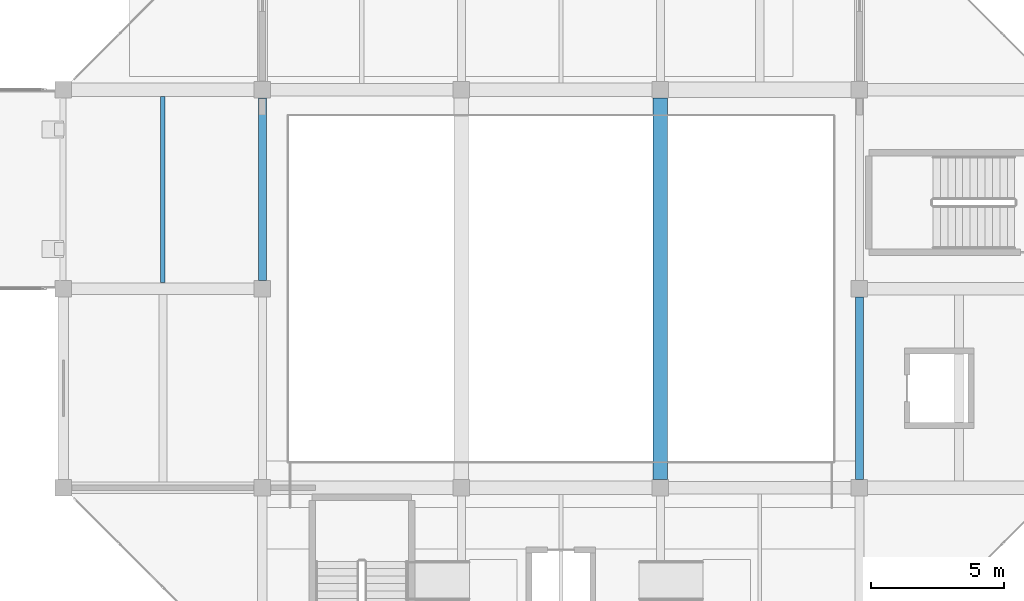
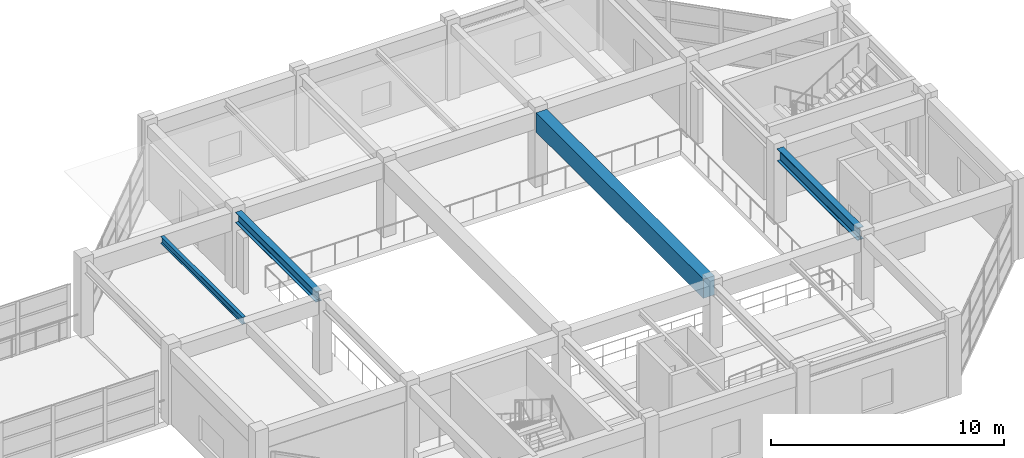
# One storey, part 67 of 132: 4 beams.
"""IFC4 building model written with IfcOpenShell, lengths in metres."""

from ifc_helpers import new_model, si_unit, direction, frame, origin, origin_2d, place, context, subcontext, project, spatial, rectangle, i_section, extrude, material, material_profile, profile_set, type_object, element, save


model = new_model("IFC4")

# Units and contexts
model_context = context("Model", 3, precision=1e-05, world=origin(), true_north=direction((0.0, 1.0)))
body_context = subcontext(model_context, "Body", "Model", "MODEL_VIEW")
ifc_project = project(units=[si_unit("LENGTHUNIT", "METRE"), si_unit("AREAUNIT", "SQUARE_METRE"), si_unit("VOLUMEUNIT", "CUBIC_METRE"), si_unit("PLANEANGLEUNIT", "RADIAN"), si_unit("MASSUNIT", "GRAM", prefix="KILO")], contexts=[model_context])

# Site, building, storey
site_placement = place(None, origin())
site = spatial("IfcSite", under=ifc_project, at=site_placement, CompositionType="ELEMENT")
building_placement = place(site_placement, origin())
building = spatial("IfcBuilding", under=site, at=building_placement, Name="Qasida Concert Hall", CompositionType="ELEMENT")
storey_placement = place(building_placement, frame((0.0, 0.0, 4.800048828125)))
storey = spatial("IfcBuildingStorey", under=building, at=storey_placement, Name="L01", CompositionType="ELEMENT", Elevation=4.800048828125)

# Beams
ifc_material_1 = material(Name="Steel S355J2", Category="steel")
ifc_material_profile_1 = material_profile(ifc_material_1, i_section(OverallWidth=0.300048828125, OverallDepth=0.550048828125, WebThickness=0.014892578125, FlangeThickness=0.029052734375, FilletRadius=0.027099609375, at=origin_2d()), Name="HEB 550")
ifc_profile_set_1 = profile_set([ifc_material_profile_1], Name="Steel S355J2")
beam_type_1 = type_object("IfcBeamType", Name="BM-B12", PredefinedType="BEAM", material=ifc_profile_set_1)
beam_1_placement = place(storey_placement, frame((135.0, 15.31005859375, 3.64501953125), z_axis=(0.0, 1.0, 0.0), x_axis=(-1.0, 0.0, 0.0)))
element("IfcBeam", 1, at=beam_1_placement, inside=storey, type_object=beam_type_1, Name="L01 girder 0874", PredefinedType="BEAM", context=body_context, shape_type="SweptSolid", body=[
    extrude(i_section(OverallWidth=0.300048828125, OverallDepth=0.550048828125, WebThickness=0.014892578125, FlangeThickness=0.029052734375, FilletRadius=0.027099609375, at=origin_2d()), origin(), (0.0, 0.0, 1.0), 6.8798828125),
])
ifc_material_profile_2 = material_profile(ifc_material_1, i_section(OverallWidth=0.300048828125, OverallDepth=0.64990234375, WebThickness=0.01611328125, FlangeThickness=0.031005859375, FilletRadius=0.027099609375, at=origin_2d()), Name="HEB 650")
ifc_profile_set_2 = profile_set([ifc_material_profile_2], Name="Steel S355J2")
beam_type_2 = type_object("IfcBeamType", Name="BM-B13", PredefinedType="BEAM", material=ifc_profile_set_2)
beam_2_placement = place(storey_placement, frame((157.5, 7.81005859375, 3.594970703125), z_axis=(0.0, 1.0, 0.0), x_axis=(-1.0, 0.0, 0.0)))
element("IfcBeam", 2, at=beam_2_placement, inside=storey, type_object=beam_type_2, Name="L01 girder 0883", PredefinedType="BEAM", context=body_context, shape_type="SweptSolid", body=[
    extrude(i_section(OverallWidth=0.300048828125, OverallDepth=0.64990234375, WebThickness=0.01611328125, FlangeThickness=0.031005859375, FilletRadius=0.027099609375, at=origin_2d()), origin(), (0.0, 0.0, 1.0), 6.8798828125),
])
ifc_material_2 = material(Name="Concrete C40/50", Category="concrete")
ifc_material_profile_3 = material_profile(ifc_material_2, rectangle(XDim=0.550048828125, YDim=1.0, at=origin_2d()), Name="RC 550x1000")
ifc_profile_set_3 = profile_set([ifc_material_profile_3], Name="Concrete C40/50")
beam_type_3 = type_object("IfcBeamType", Name="BM-G3", PredefinedType="USERDEFINED", material=ifc_profile_set_3)
beam_3_placement = place(storey_placement, frame((150.0, 7.81005859375, 3.419921875), z_axis=(0.0, 1.0, 0.0), x_axis=(-1.0, 0.0, 0.0)))
element("IfcBeam", 3, at=beam_3_placement, inside=storey, type_object=beam_type_3, Name="L01 girder 0880", ObjectType="GIRDER", PredefinedType="USERDEFINED", context=body_context, shape_type="SweptSolid", body=[
    extrude(rectangle(XDim=0.550048828125, YDim=1.0, at=origin_2d()), origin(), (0.0, 0.0, 1.0), 14.3798828125),
])
ifc_material_profile_4 = material_profile(ifc_material_1, i_section(OverallWidth=0.169921875, OverallDepth=0.360107421875, WebThickness=0.008056640625, FlangeThickness=0.0126953125, FilletRadius=0.01806640625, at=origin_2d()), Name="IPE 360")
ifc_profile_set_4 = profile_set([ifc_material_profile_4], Name="Steel S355J2")
beam_type_4 = type_object("IfcBeamType", Name="BM-J2", PredefinedType="JOIST", material=ifc_profile_set_4)
beam_4_placement = place(storey_placement, frame((131.25, 15.22509765625, 3.739990234375), z_axis=(0.0, 1.0, 0.0), x_axis=(-1.0, 0.0, 0.0)))
element("IfcBeam", 4, at=beam_4_placement, inside=storey, type_object=beam_type_4, Name="L01 secondary joist 0889", PredefinedType="JOIST", context=body_context, shape_type="SweptSolid", body=[
    extrude(i_section(OverallWidth=0.169921875, OverallDepth=0.360107421875, WebThickness=0.008056640625, FlangeThickness=0.0126953125, FilletRadius=0.01806640625, at=origin_2d()), origin(), (0.0, 0.0, 1.0), 7.014892578125),
])

save(model, "model.ifc")
